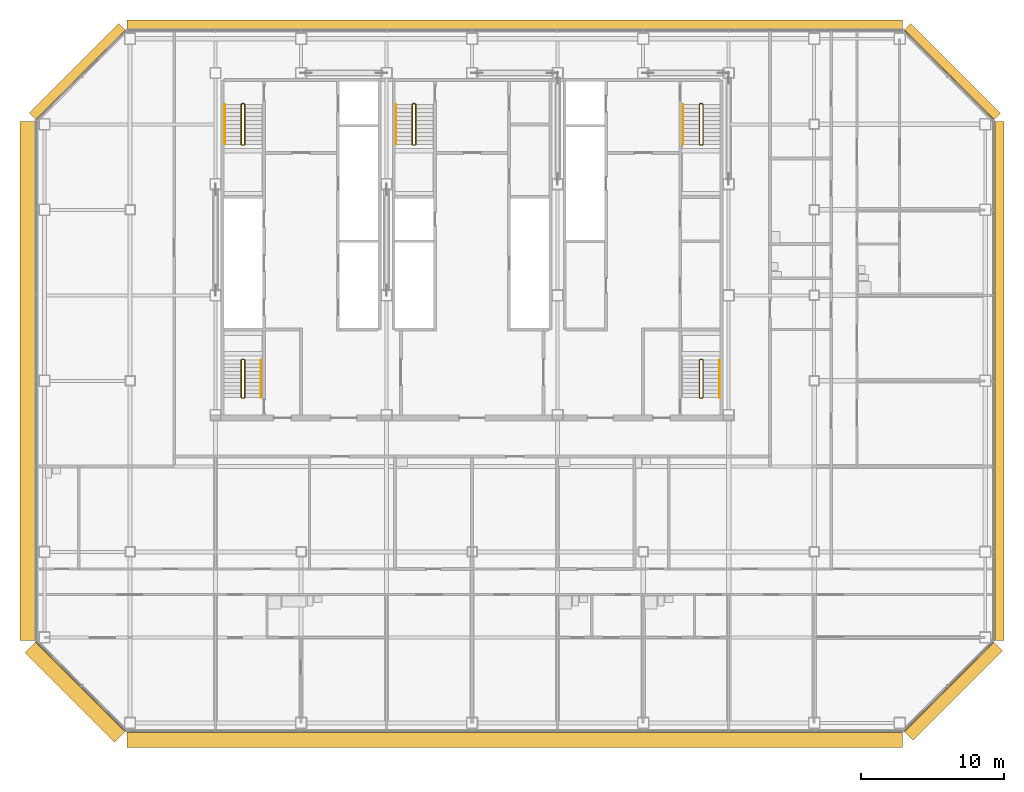
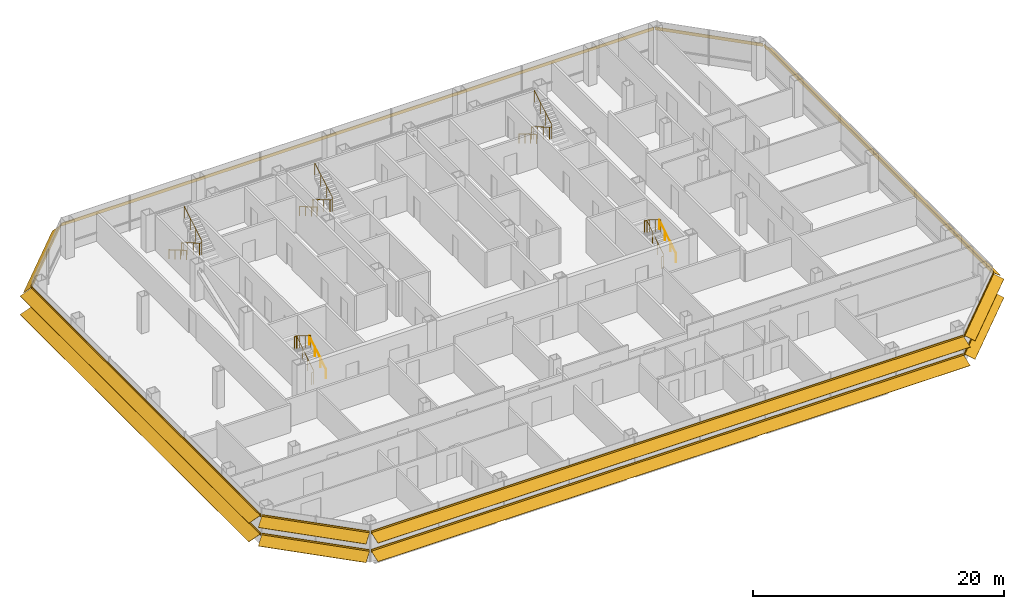
# One storey, part 24 of 25: 10 railings, 8 shading devices.
"""IFC4 building model written with IfcOpenShell, lengths in metres."""

from ifc_helpers import new_model, si_unit, direction, frame, origin, origin_2d, place, context, subcontext, project, spatial, polyline, circle, outline, composite_profile, extrude, material, type_object, element, save


model = new_model("IFC4")

# Units and contexts
model_context = context("Model", 3, precision=1e-05, world=origin(), true_north=direction((0.0, 1.0)))
body_context = subcontext(model_context, "Body", "Model", "MODEL_VIEW")
ifc_project = project(units=[si_unit("LENGTHUNIT", "METRE"), si_unit("AREAUNIT", "SQUARE_METRE"), si_unit("VOLUMEUNIT", "CUBIC_METRE"), si_unit("PLANEANGLEUNIT", "RADIAN"), si_unit("MASSUNIT", "GRAM", prefix="KILO")], contexts=[model_context])

# Site, building, storey
site_placement = place(None, origin())
site = spatial("IfcSite", under=ifc_project, at=site_placement, CompositionType="ELEMENT")
building_placement = place(site_placement, origin())
building = spatial("IfcBuilding", under=site, at=building_placement, Name="Sorahane Residences", CompositionType="ELEMENT")
storey_placement = place(building_placement, frame((0.0, 0.0, 126.800048828125)))
storey = spatial("IfcBuildingStorey", under=building, at=storey_placement, Name="L28", CompositionType="ELEMENT", Elevation=126.800048828125)

# Shading devices
ifc_material_1 = material(Name="Terracotta anodised aluminium", Category="masonry")
shading_device_type_1 = type_object("IfcShadingDeviceType", Name="Louvre sunshade blade E terracotta aluminium 700", PredefinedType="JALOUSIE", material=ifc_material_1)
shading_device_1_placement = place(storey_placement, frame((60.60009765625, 5.801513671875, 2.699951171875), z_axis=(0.0, 1.0, 0.0), x_axis=(-1.0, 0.0, 0.0)))
element("IfcShadingDevice", 1, at=shading_device_1_placement, inside=storey, type_object=shading_device_type_1, Name="Louvre sunshade blade bank E L28 E1", PredefinedType="JALOUSIE", context=body_context, shape_type="SweptSolid", body=[
    extrude(outline(polyline([(-0.719970703125, -0.49365234375), (-0.719970703125, -0.523681640625), (-0.080078125, -0.05859375), (-0.080078125, -0.14990234375), (-0.02001953125, -0.14990234375), (-0.02001953125, -0.014892578125), (-0.02001953125, 0.014892578125), (-0.02001953125, 0.14990234375), (-0.080078125, 0.14990234375), (-0.080078125, -0.028564453125), (-0.719970703125, -0.49365234375)])), origin(), (0.0, 0.0, 1.0), 36.39697265625),
])
ifc_material_2 = material(Name="Terracotta anodised aluminium", Category="masonry")
shading_device_type_2 = type_object("IfcShadingDeviceType", Name="Louvre sunshade blade N terracotta aluminium 700", PredefinedType="JALOUSIE", material=ifc_material_2)
shading_device_2_placement = place(storey_placement, frame((54.198486328125, 48.60009765625, 2.699951171875), z_axis=(-1.0, 0.0, 0.0), x_axis=(0.0, -1.0, 0.0)))
element("IfcShadingDevice", 2, at=shading_device_2_placement, inside=storey, type_object=shading_device_type_2, Name="Louvre sunshade blade bank N L28 N1", PredefinedType="JALOUSIE", context=body_context, shape_type="SweptSolid", body=[
    extrude(outline(polyline([(-0.719970703125, -0.660888671875), (-0.719970703125, -0.69091796875), (-0.080078125, -0.072998046875), (-0.080078125, -0.14990234375), (-0.02001953125, -0.14990234375), (-0.02001953125, -0.014892578125), (-0.02001953125, 0.014892578125), (-0.02001953125, 0.14990234375), (-0.080078125, 0.14990234375), (-0.080078125, -0.04296875), (-0.719970703125, -0.660888671875)])), origin(), (0.0, 0.0, 1.0), 54.39697265625),
])
ifc_material_3 = material(Name="Terracotta anodised aluminium", Category="masonry")
shading_device_type_3 = type_object("IfcShadingDeviceType", Name="Louvre sunshade blade NE terracotta aluminium 700", PredefinedType="JALOUSIE", material=ifc_material_3)
shading_device_3_placement = place(storey_placement, frame((60.564697265625, 42.283935546875, 2.699951171875), z_axis=(-0.707106781187, 0.707106781187, 0.0), x_axis=(-0.707106781187, -0.707106781187, 0.0)))
element("IfcShadingDevice", 3, at=shading_device_3_placement, inside=storey, type_object=shading_device_type_3, Name="Louvre sunshade blade bank NE L28 NE1", PredefinedType="JALOUSIE", context=body_context, shape_type="SweptSolid", body=[
    extrude(outline(polyline([(-0.719970703125, -0.572509765625), (-0.719970703125, -0.602294921875), (-0.080078125, -0.065185546875), (-0.080078125, -0.14990234375), (-0.02001953125, -0.14990234375), (-0.02001953125, -0.014892578125), (-0.02001953125, 0.014892578125), (-0.02001953125, 0.14990234375), (-0.080078125, 0.14990234375), (-0.080078125, -0.035400390625), (-0.719970703125, -0.572509765625)])), origin(), (0.0, 0.0, 1.0), 8.88232421875),
])
ifc_material_4 = material(Name="Terracotta anodised aluminium", Category="masonry")
shading_device_type_4 = type_object("IfcShadingDeviceType", Name="Louvre sunshade blade NW terracotta aluminium 700", PredefinedType="JALOUSIE", material=ifc_material_4)
shading_device_4_placement = place(storey_placement, frame((-0.283935546875, 48.564697265625, 2.699951171875), z_axis=(-0.707106781187, -0.707106781187, 0.0), x_axis=(0.707106781187, -0.707106781187, 0.0)))
element("IfcShadingDevice", 4, at=shading_device_4_placement, inside=storey, type_object=shading_device_type_4, Name="Louvre sunshade blade bank NW L28 NW1", PredefinedType="JALOUSIE", context=body_context, shape_type="SweptSolid", body=[
    extrude(outline(polyline([(-0.719970703125, -0.660888671875), (-0.719970703125, -0.69091796875), (-0.080078125, -0.072998046875), (-0.080078125, -0.14990234375), (-0.02001953125, -0.14990234375), (-0.02001953125, -0.014892578125), (-0.02001953125, 0.014892578125), (-0.02001953125, 0.14990234375), (-0.080078125, 0.14990234375), (-0.080078125, -0.04296875), (-0.719970703125, -0.660888671875)])), origin(), (0.0, 0.0, 1.0), 8.88232421875),
])
ifc_material_5 = material(Name="Terracotta anodised aluminium", Category="masonry")
shading_device_type_5 = type_object("IfcShadingDeviceType", Name="Louvre sunshade blade S terracotta aluminium 1100", PredefinedType="JALOUSIE", material=ifc_material_5)
shading_device_5_placement = place(storey_placement, frame((-0.198486328125, -0.60009765625, 0.89990234375), z_axis=(1.0, 0.0, 0.0), x_axis=(0.0, 1.0, 0.0)))
element("IfcShadingDevice", 5, at=shading_device_5_placement, inside=storey, type_object=shading_device_type_5, Name="Louvre sunshade blade bank S L28 S1", PredefinedType="JALOUSIE", context=body_context, shape_type="SweptSolid", body=[
    extrude(composite_profile([outline(polyline([(-1.1201171875, -0.385498046875), (-1.1201171875, -0.415283203125), (-0.080078125, -0.036865234375), (-0.080078125, -0.14990234375), (-0.02001953125, -0.14990234375), (-0.02001953125, -0.014892578125), (-0.02001953125, 0.014892578125), (-0.02001953125, 0.14990234375), (-0.080078125, 0.14990234375), (-0.080078125, -0.0068359375), (-1.1201171875, -0.385498046875)])), outline(polyline([(-1.1201171875, 1.41455078125), (-1.1201171875, 1.384521484375), (-0.080078125, 1.76318359375), (-0.080078125, 1.64990234375), (-0.02001953125, 1.64990234375), (-0.02001953125, 1.784912109375), (-0.02001953125, 1.81494140625), (-0.02001953125, 1.949951171875), (-0.080078125, 1.949951171875), (-0.080078125, 1.793212890625), (-1.1201171875, 1.41455078125)]))]), origin(), (0.0, 0.0, 1.0), 54.39697265625),
])
ifc_material_6 = material(Name="Terracotta anodised aluminium", Category="masonry")
shading_device_type_6 = type_object("IfcShadingDeviceType", Name="Louvre sunshade blade SE terracotta aluminium 900", PredefinedType="JALOUSIE", material=ifc_material_6)
shading_device_6_placement = place(storey_placement, frame((54.283935546875, -0.564697265625, 0.89990234375), z_axis=(0.707106781187, 0.707106781187, 0.0), x_axis=(-0.707106781187, 0.707106781187, 0.0)))
element("IfcShadingDevice", 6, at=shading_device_6_placement, inside=storey, type_object=shading_device_type_6, Name="Louvre sunshade blade bank SE L28 SE1", PredefinedType="JALOUSIE", context=body_context, shape_type="SweptSolid", body=[
    extrude(composite_profile([outline(polyline([(-0.919921875, -0.3486328125), (-0.919921875, -0.378662109375), (-0.080078125, -0.039306640625), (-0.080078125, -0.14990234375), (-0.02001953125, -0.14990234375), (-0.02001953125, -0.014892578125), (-0.02001953125, 0.014892578125), (-0.02001953125, 0.14990234375), (-0.080078125, 0.14990234375), (-0.080078125, -0.00927734375), (-0.919921875, -0.3486328125)])), outline(polyline([(-0.919921875, 1.451416015625), (-0.919921875, 1.42138671875), (-0.080078125, 1.7607421875), (-0.080078125, 1.64990234375), (-0.02001953125, 1.64990234375), (-0.02001953125, 1.784912109375), (-0.02001953125, 1.81494140625), (-0.02001953125, 1.949951171875), (-0.080078125, 1.949951171875), (-0.080078125, 1.790771484375), (-0.919921875, 1.451416015625)]))]), origin(), (0.0, 0.0, 1.0), 8.88232421875),
])
ifc_material_7 = material(Name="Terracotta anodised aluminium", Category="masonry")
shading_device_type_7 = type_object("IfcShadingDeviceType", Name="Louvre sunshade blade SW terracotta aluminium 1100", PredefinedType="JALOUSIE", material=ifc_material_7)
shading_device_7_placement = place(storey_placement, frame((-6.564697265625, 5.716064453125, 0.89990234375), z_axis=(0.707106781187, -0.707106781187, 0.0), x_axis=(0.707106781187, 0.707106781187, 0.0)))
element("IfcShadingDevice", 7, at=shading_device_7_placement, inside=storey, type_object=shading_device_type_7, Name="Louvre sunshade blade bank SW L28 SW1", PredefinedType="JALOUSIE", context=body_context, shape_type="SweptSolid", body=[
    extrude(composite_profile([outline(polyline([(-1.1201171875, -0.385498046875), (-1.1201171875, -0.415283203125), (-0.080078125, -0.036865234375), (-0.080078125, -0.14990234375), (-0.02001953125, -0.14990234375), (-0.02001953125, -0.014892578125), (-0.02001953125, 0.014892578125), (-0.02001953125, 0.14990234375), (-0.080078125, 0.14990234375), (-0.080078125, -0.0068359375), (-1.1201171875, -0.385498046875)])), outline(polyline([(-1.1201171875, 1.41455078125), (-1.1201171875, 1.384521484375), (-0.080078125, 1.76318359375), (-0.080078125, 1.64990234375), (-0.02001953125, 1.64990234375), (-0.02001953125, 1.784912109375), (-0.02001953125, 1.81494140625), (-0.02001953125, 1.949951171875), (-0.080078125, 1.949951171875), (-0.080078125, 1.793212890625), (-1.1201171875, 1.41455078125)]))]), origin(), (0.0, 0.0, 1.0), 8.88232421875),
])
ifc_material_8 = material(Name="Terracotta anodised aluminium", Category="masonry")
shading_device_type_8 = type_object("IfcShadingDeviceType", Name="Louvre sunshade blade W terracotta aluminium 1100", PredefinedType="JALOUSIE", material=ifc_material_8)
shading_device_8_placement = place(storey_placement, frame((-6.60009765625, 42.198486328125, 0.89990234375), z_axis=(0.0, -1.0, 0.0), x_axis=(1.0, 0.0, 0.0)))
element("IfcShadingDevice", 8, at=shading_device_8_placement, inside=storey, type_object=shading_device_type_8, Name="Louvre sunshade blade bank W L28 W1", PredefinedType="JALOUSIE", context=body_context, shape_type="SweptSolid", body=[
    extrude(composite_profile([outline(polyline([(-1.1201171875, -0.385498046875), (-1.1201171875, -0.415283203125), (-0.080078125, -0.036865234375), (-0.080078125, -0.14990234375), (-0.02001953125, -0.14990234375), (-0.02001953125, -0.014892578125), (-0.02001953125, 0.014892578125), (-0.02001953125, 0.14990234375), (-0.080078125, 0.14990234375), (-0.080078125, -0.0068359375), (-1.1201171875, -0.385498046875)])), outline(polyline([(-1.1201171875, 1.41455078125), (-1.1201171875, 1.384521484375), (-0.080078125, 1.76318359375), (-0.080078125, 1.64990234375), (-0.02001953125, 1.64990234375), (-0.02001953125, 1.784912109375), (-0.02001953125, 1.81494140625), (-0.02001953125, 1.949951171875), (-0.080078125, 1.949951171875), (-0.080078125, 1.793212890625), (-1.1201171875, 1.41455078125)]))]), origin(), (0.0, 0.0, 1.0), 36.39697265625),
])

# Railings
ifc_material_9 = material(Name="Steel Q355B", Category="steel")
railing_type_1 = type_object("IfcRailingType", Name="Stair guard 1200 Steel Q355B", PredefinedType="GUARDRAIL", material=ifc_material_9)
railing_1_placement = place(storey_placement, frame((8.0, 43.449951171875, 0.0)))
element("IfcRailing", 9, at=railing_1_placement, inside=storey, type_object=railing_type_1, Name="L28 S1 stair guard 1", PredefinedType="GUARDRAIL", context=body_context, shape_type="SweptSolid", body=[
    extrude(circle(Radius=0.02392578125, at=origin_2d()), frame((0.0, 0.0, 1.17578125), z_axis=(-1.0, 0.0, 0.0), x_axis=(0.0, -1.0, 0.0)), (0.0, 0.0, 1.0), 0.14990234375),
    extrude(circle(Radius=0.02392578125, at=origin_2d()), frame((-0.14990234375, 0.0, 1.17578125), z_axis=(-0.280808744504, -0.280808744504, 0.917765164963), x_axis=(0.707106781187, -0.707106781187, 0.0)), (0.0, 0.0, 1.0), 0.17822265625),
    extrude(circle(Radius=0.02392578125, at=origin_2d()), frame((-0.199951171875, -0.050048828125, 1.33935546875), z_axis=(0.0, -0.863341702679, 0.504619762213), x_axis=(1.0, 0.0, 0.0)), (0.0, 0.0, 1.0), 3.242919921875),
    extrude(circle(Radius=0.02392578125, at=origin_2d()), frame((-0.199951171875, -2.849853515625, 2.97607421875), z_axis=(0.707106781187, -0.707106781187, 0.0), x_axis=(0.707106781187, 0.707106781187, 0.0)), (0.0, 0.0, 1.0), 0.07080078125),
    extrude(circle(Radius=0.02392578125, at=origin_2d()), frame((-0.14990234375, -2.89990234375, 2.97607421875), z_axis=(1.0, 0.0, 0.0), x_axis=(0.0, 1.0, 0.0)), (0.0, 0.0, 1.0), 0.14990234375),
    extrude(circle(Radius=0.02392578125, at=origin_2d()), frame((0.0, -2.89990234375, 2.97607421875), z_axis=(0.280808744504, 0.280808744504, 0.917765164963), x_axis=(-0.707106781187, 0.707106781187, 0.0)), (0.0, 0.0, 1.0), 0.17822265625),
    extrude(circle(Radius=0.02392578125, at=origin_2d()), frame((0.050048828125, -2.849853515625, 3.1396484375), z_axis=(0.0, 0.863374499697, 0.504563646405), x_axis=(-1.0, 0.0, 0.0)), (0.0, 0.0, 1.0), 3.242919921875),
    extrude(circle(Radius=0.02099609375, at=origin_2d()), origin(), (0.0, 0.0, 1.0), 1.15185546875),
    extrude(circle(Radius=0.02099609375, at=origin_2d()), frame((-0.14990234375, 0.0, 0.0)), (0.0, 0.0, 1.0), 1.15185546875),
    extrude(circle(Radius=0.02099609375, at=origin_2d()), frame((-0.199951171875, -0.050048828125, 0.16357421875)), (0.0, 0.0, 1.0), 1.15185546875),
    extrude(circle(Radius=0.02099609375, at=origin_2d()), frame((-0.199951171875, -0.9833984375, 0.708984375)), (0.0, 0.0, 1.0), 1.15185546875),
    extrude(circle(Radius=0.02099609375, at=origin_2d()), frame((-0.199951171875, -1.91650390625, 1.254638671875)), (0.0, 0.0, 1.0), 1.15185546875),
    extrude(circle(Radius=0.02099609375, at=origin_2d()), frame((-0.199951171875, -2.849853515625, 1.800048828125)), (0.0, 0.0, 1.0), 1.15185546875),
    extrude(circle(Radius=0.02099609375, at=origin_2d()), frame((-0.14990234375, -2.89990234375, 1.800048828125)), (0.0, 0.0, 1.0), 1.15185546875),
    extrude(circle(Radius=0.02099609375, at=origin_2d()), frame((0.0, -2.89990234375, 1.800048828125)), (0.0, 0.0, 1.0), 1.15185546875),
    extrude(circle(Radius=0.02099609375, at=origin_2d()), frame((0.050048828125, -2.849853515625, 1.963623046875)), (0.0, 0.0, 1.0), 1.15185546875),
    extrude(circle(Radius=0.02099609375, at=origin_2d()), frame((0.050048828125, -1.91650390625, 2.509033203125)), (0.0, 0.0, 1.0), 1.15185546875),
    extrude(circle(Radius=0.02099609375, at=origin_2d()), frame((0.050048828125, -0.9833984375, 3.054443359375)), (0.0, 0.0, 1.0), 1.15185546875),
    extrude(circle(Radius=0.02099609375, at=origin_2d()), frame((0.050048828125, -0.050048828125, 3.599853515625)), (0.0, 0.0, 1.0), 1.15185546875),
])
railing_2_placement = place(storey_placement, frame((40.14990234375, 43.449951171875, 0.0)))
element("IfcRailing", 10, at=railing_2_placement, inside=storey, type_object=railing_type_1, Name="L28 S2 stair guard 1", PredefinedType="GUARDRAIL", context=body_context, shape_type="SweptSolid", body=[
    extrude(circle(Radius=0.02392578125, at=origin_2d()), frame((0.0, 0.0, 1.17578125), z_axis=(-1.0, 0.0, 0.0), x_axis=(0.0, -1.0, 0.0)), (0.0, 0.0, 1.0), 0.14990234375),
    extrude(circle(Radius=0.02392578125, at=origin_2d()), frame((-0.14990234375, 0.0, 1.17578125), z_axis=(-0.280808744504, -0.280808744504, 0.917765164963), x_axis=(0.707106781187, -0.707106781187, 0.0)), (0.0, 0.0, 1.0), 0.17822265625),
    extrude(circle(Radius=0.02392578125, at=origin_2d()), frame((-0.199951171875, -0.050048828125, 1.33935546875), z_axis=(0.0, -0.863341702679, 0.504619762213), x_axis=(1.0, 0.0, 0.0)), (0.0, 0.0, 1.0), 3.242919921875),
    extrude(circle(Radius=0.02392578125, at=origin_2d()), frame((-0.199951171875, -2.849853515625, 2.97607421875), z_axis=(0.707106781187, -0.707106781187, 0.0), x_axis=(0.707106781187, 0.707106781187, 0.0)), (0.0, 0.0, 1.0), 0.07080078125),
    extrude(circle(Radius=0.02392578125, at=origin_2d()), frame((-0.14990234375, -2.89990234375, 2.97607421875), z_axis=(1.0, 0.0, 0.0), x_axis=(0.0, 1.0, 0.0)), (0.0, 0.0, 1.0), 0.14990234375),
    extrude(circle(Radius=0.02392578125, at=origin_2d()), frame((0.0, -2.89990234375, 2.97607421875), z_axis=(0.280808744504, 0.280808744504, 0.917765164963), x_axis=(-0.707106781187, 0.707106781187, 0.0)), (0.0, 0.0, 1.0), 0.17822265625),
    extrude(circle(Radius=0.02392578125, at=origin_2d()), frame((0.050048828125, -2.849853515625, 3.1396484375), z_axis=(0.0, 0.863374499697, 0.504563646405), x_axis=(-1.0, 0.0, 0.0)), (0.0, 0.0, 1.0), 3.242919921875),
    extrude(circle(Radius=0.02099609375, at=origin_2d()), origin(), (0.0, 0.0, 1.0), 1.15185546875),
    extrude(circle(Radius=0.02099609375, at=origin_2d()), frame((-0.14990234375, 0.0, 0.0)), (0.0, 0.0, 1.0), 1.15185546875),
    extrude(circle(Radius=0.02099609375, at=origin_2d()), frame((-0.199951171875, -0.050048828125, 0.16357421875)), (0.0, 0.0, 1.0), 1.15185546875),
    extrude(circle(Radius=0.02099609375, at=origin_2d()), frame((-0.199951171875, -0.9833984375, 0.708984375)), (0.0, 0.0, 1.0), 1.15185546875),
    extrude(circle(Radius=0.02099609375, at=origin_2d()), frame((-0.199951171875, -1.91650390625, 1.254638671875)), (0.0, 0.0, 1.0), 1.15185546875),
    extrude(circle(Radius=0.02099609375, at=origin_2d()), frame((-0.199951171875, -2.849853515625, 1.800048828125)), (0.0, 0.0, 1.0), 1.15185546875),
    extrude(circle(Radius=0.02099609375, at=origin_2d()), frame((-0.14990234375, -2.89990234375, 1.800048828125)), (0.0, 0.0, 1.0), 1.15185546875),
    extrude(circle(Radius=0.02099609375, at=origin_2d()), frame((0.0, -2.89990234375, 1.800048828125)), (0.0, 0.0, 1.0), 1.15185546875),
    extrude(circle(Radius=0.02099609375, at=origin_2d()), frame((0.050048828125, -2.849853515625, 1.963623046875)), (0.0, 0.0, 1.0), 1.15185546875),
    extrude(circle(Radius=0.02099609375, at=origin_2d()), frame((0.050048828125, -1.91650390625, 2.509033203125)), (0.0, 0.0, 1.0), 1.15185546875),
    extrude(circle(Radius=0.02099609375, at=origin_2d()), frame((0.050048828125, -0.9833984375, 3.054443359375)), (0.0, 0.0, 1.0), 1.15185546875),
    extrude(circle(Radius=0.02099609375, at=origin_2d()), frame((0.050048828125, -0.050048828125, 3.599853515625)), (0.0, 0.0, 1.0), 1.15185546875),
])
railing_3_placement = place(storey_placement, frame((20.0, 43.449951171875, 0.0)))
element("IfcRailing", 11, at=railing_3_placement, inside=storey, type_object=railing_type_1, Name="L28 S3 stair guard 1", PredefinedType="GUARDRAIL", context=body_context, shape_type="SweptSolid", body=[
    extrude(circle(Radius=0.02392578125, at=origin_2d()), frame((0.0, 0.0, 1.17578125), z_axis=(-1.0, 0.0, 0.0), x_axis=(0.0, -1.0, 0.0)), (0.0, 0.0, 1.0), 0.14990234375),
    extrude(circle(Radius=0.02392578125, at=origin_2d()), frame((-0.14990234375, 0.0, 1.17578125), z_axis=(-0.280808744504, -0.280808744504, 0.917765164963), x_axis=(0.707106781187, -0.707106781187, 0.0)), (0.0, 0.0, 1.0), 0.17822265625),
    extrude(circle(Radius=0.02392578125, at=origin_2d()), frame((-0.199951171875, -0.050048828125, 1.33935546875), z_axis=(0.0, -0.863341702679, 0.504619762213), x_axis=(1.0, 0.0, 0.0)), (0.0, 0.0, 1.0), 3.242919921875),
    extrude(circle(Radius=0.02392578125, at=origin_2d()), frame((-0.199951171875, -2.849853515625, 2.97607421875), z_axis=(0.707106781187, -0.707106781187, 0.0), x_axis=(0.707106781187, 0.707106781187, 0.0)), (0.0, 0.0, 1.0), 0.07080078125),
    extrude(circle(Radius=0.02392578125, at=origin_2d()), frame((-0.14990234375, -2.89990234375, 2.97607421875), z_axis=(1.0, 0.0, 0.0), x_axis=(0.0, 1.0, 0.0)), (0.0, 0.0, 1.0), 0.14990234375),
    extrude(circle(Radius=0.02392578125, at=origin_2d()), frame((0.0, -2.89990234375, 2.97607421875), z_axis=(0.280808744504, 0.280808744504, 0.917765164963), x_axis=(-0.707106781187, 0.707106781187, 0.0)), (0.0, 0.0, 1.0), 0.17822265625),
    extrude(circle(Radius=0.02392578125, at=origin_2d()), frame((0.050048828125, -2.849853515625, 3.1396484375), z_axis=(0.0, 0.863374499697, 0.504563646405), x_axis=(-1.0, 0.0, 0.0)), (0.0, 0.0, 1.0), 3.242919921875),
    extrude(circle(Radius=0.02099609375, at=origin_2d()), origin(), (0.0, 0.0, 1.0), 1.15185546875),
    extrude(circle(Radius=0.02099609375, at=origin_2d()), frame((-0.14990234375, 0.0, 0.0)), (0.0, 0.0, 1.0), 1.15185546875),
    extrude(circle(Radius=0.02099609375, at=origin_2d()), frame((-0.199951171875, -0.050048828125, 0.16357421875)), (0.0, 0.0, 1.0), 1.15185546875),
    extrude(circle(Radius=0.02099609375, at=origin_2d()), frame((-0.199951171875, -0.9833984375, 0.708984375)), (0.0, 0.0, 1.0), 1.15185546875),
    extrude(circle(Radius=0.02099609375, at=origin_2d()), frame((-0.199951171875, -1.91650390625, 1.254638671875)), (0.0, 0.0, 1.0), 1.15185546875),
    extrude(circle(Radius=0.02099609375, at=origin_2d()), frame((-0.199951171875, -2.849853515625, 1.800048828125)), (0.0, 0.0, 1.0), 1.15185546875),
    extrude(circle(Radius=0.02099609375, at=origin_2d()), frame((-0.14990234375, -2.89990234375, 1.800048828125)), (0.0, 0.0, 1.0), 1.15185546875),
    extrude(circle(Radius=0.02099609375, at=origin_2d()), frame((0.0, -2.89990234375, 1.800048828125)), (0.0, 0.0, 1.0), 1.15185546875),
    extrude(circle(Radius=0.02099609375, at=origin_2d()), frame((0.050048828125, -2.849853515625, 1.963623046875)), (0.0, 0.0, 1.0), 1.15185546875),
    extrude(circle(Radius=0.02099609375, at=origin_2d()), frame((0.050048828125, -1.91650390625, 2.509033203125)), (0.0, 0.0, 1.0), 1.15185546875),
    extrude(circle(Radius=0.02099609375, at=origin_2d()), frame((0.050048828125, -0.9833984375, 3.054443359375)), (0.0, 0.0, 1.0), 1.15185546875),
    extrude(circle(Radius=0.02099609375, at=origin_2d()), frame((0.050048828125, -0.050048828125, 3.599853515625)), (0.0, 0.0, 1.0), 1.15185546875),
])
railing_4_placement = place(storey_placement, frame((7.85009765625, 22.800048828125, 0.0)))
element("IfcRailing", 12, at=railing_4_placement, inside=storey, type_object=railing_type_1, Name="L28 S4 stair guard 1", PredefinedType="GUARDRAIL", context=body_context, shape_type="SweptSolid", body=[
    extrude(circle(Radius=0.02392578125, at=origin_2d()), frame((0.0, 0.0, 1.17578125), z_axis=(1.0, 0.0, 0.0), x_axis=(0.0, 1.0, 0.0)), (0.0, 0.0, 1.0), 0.14990234375),
    extrude(circle(Radius=0.02392578125, at=origin_2d()), frame((0.14990234375, 0.0, 1.17578125), z_axis=(0.280808744504, 0.280808744504, 0.917765164963), x_axis=(-0.707106781187, 0.707106781187, 0.0)), (0.0, 0.0, 1.0), 0.17822265625),
    extrude(circle(Radius=0.02392578125, at=origin_2d()), frame((0.199951171875, 0.050048828125, 1.33935546875), z_axis=(0.0, 0.846301844409, 0.532703658848), x_axis=(-1.0, 0.0, 0.0)), (0.0, 0.0, 1.0), 3.072021484375),
    extrude(circle(Radius=0.02392578125, at=origin_2d()), frame((0.199951171875, 2.64990234375, 2.97607421875), z_axis=(-0.707106781187, 0.707106781187, 0.0), x_axis=(-0.707106781187, -0.707106781187, 0.0)), (0.0, 0.0, 1.0), 0.07080078125),
    extrude(circle(Radius=0.02392578125, at=origin_2d()), frame((0.14990234375, 2.699951171875, 2.97607421875), z_axis=(-1.0, 0.0, 0.0), x_axis=(0.0, -1.0, 0.0)), (0.0, 0.0, 1.0), 0.14990234375),
    extrude(circle(Radius=0.02392578125, at=origin_2d()), frame((0.0, 2.699951171875, 2.97607421875), z_axis=(-0.280808744504, -0.280808744504, 0.917765164963), x_axis=(0.707106781187, -0.707106781187, 0.0)), (0.0, 0.0, 1.0), 0.17822265625),
    extrude(circle(Radius=0.02392578125, at=origin_2d()), frame((-0.050048828125, 2.64990234375, 3.1396484375), z_axis=(0.0, -0.846337672412, 0.532646734952), x_axis=(1.0, 0.0, 0.0)), (0.0, 0.0, 1.0), 3.07177734375),
    extrude(circle(Radius=0.02099609375, at=origin_2d()), origin(), (0.0, 0.0, 1.0), 1.15185546875),
    extrude(circle(Radius=0.02099609375, at=origin_2d()), frame((0.14990234375, 0.0, 0.0)), (0.0, 0.0, 1.0), 1.15185546875),
    extrude(circle(Radius=0.02099609375, at=origin_2d()), frame((0.199951171875, 0.050048828125, 0.16357421875)), (0.0, 0.0, 1.0), 1.15185546875),
    extrude(circle(Radius=0.02099609375, at=origin_2d()), frame((0.199951171875, 0.916748046875, 0.708984375)), (0.0, 0.0, 1.0), 1.15185546875),
    extrude(circle(Radius=0.02099609375, at=origin_2d()), frame((0.199951171875, 1.783203125, 1.254638671875)), (0.0, 0.0, 1.0), 1.15185546875),
    extrude(circle(Radius=0.02099609375, at=origin_2d()), frame((0.199951171875, 2.64990234375, 1.800048828125)), (0.0, 0.0, 1.0), 1.15185546875),
    extrude(circle(Radius=0.02099609375, at=origin_2d()), frame((0.14990234375, 2.699951171875, 1.800048828125)), (0.0, 0.0, 1.0), 1.15185546875),
    extrude(circle(Radius=0.02099609375, at=origin_2d()), frame((0.0, 2.699951171875, 1.800048828125)), (0.0, 0.0, 1.0), 1.15185546875),
    extrude(circle(Radius=0.02099609375, at=origin_2d()), frame((-0.050048828125, 2.64990234375, 1.963623046875)), (0.0, 0.0, 1.0), 1.15185546875),
    extrude(circle(Radius=0.02099609375, at=origin_2d()), frame((-0.050048828125, 1.783203125, 2.509033203125)), (0.0, 0.0, 1.0), 1.15185546875),
    extrude(circle(Radius=0.02099609375, at=origin_2d()), frame((-0.050048828125, 0.916748046875, 3.054443359375)), (0.0, 0.0, 1.0), 1.15185546875),
    extrude(circle(Radius=0.02099609375, at=origin_2d()), frame((-0.050048828125, 0.050048828125, 3.599853515625)), (0.0, 0.0, 1.0), 1.15185546875),
])
railing_5_placement = place(storey_placement, frame((40.0, 22.800048828125, 0.0)))
element("IfcRailing", 13, at=railing_5_placement, inside=storey, type_object=railing_type_1, Name="L28 S5 stair guard 1", PredefinedType="GUARDRAIL", context=body_context, shape_type="SweptSolid", body=[
    extrude(circle(Radius=0.02392578125, at=origin_2d()), frame((0.0, 0.0, 1.17578125), z_axis=(1.0, 0.0, 0.0), x_axis=(0.0, 1.0, 0.0)), (0.0, 0.0, 1.0), 0.14990234375),
    extrude(circle(Radius=0.02392578125, at=origin_2d()), frame((0.14990234375, 0.0, 1.17578125), z_axis=(0.280808744504, 0.280808744504, 0.917765164963), x_axis=(-0.707106781187, 0.707106781187, 0.0)), (0.0, 0.0, 1.0), 0.17822265625),
    extrude(circle(Radius=0.02392578125, at=origin_2d()), frame((0.199951171875, 0.050048828125, 1.33935546875), z_axis=(0.0, 0.846301844409, 0.532703658848), x_axis=(-1.0, 0.0, 0.0)), (0.0, 0.0, 1.0), 3.072021484375),
    extrude(circle(Radius=0.02392578125, at=origin_2d()), frame((0.199951171875, 2.64990234375, 2.97607421875), z_axis=(-0.707106781187, 0.707106781187, 0.0), x_axis=(-0.707106781187, -0.707106781187, 0.0)), (0.0, 0.0, 1.0), 0.07080078125),
    extrude(circle(Radius=0.02392578125, at=origin_2d()), frame((0.14990234375, 2.699951171875, 2.97607421875), z_axis=(-1.0, 0.0, 0.0), x_axis=(0.0, -1.0, 0.0)), (0.0, 0.0, 1.0), 0.14990234375),
    extrude(circle(Radius=0.02392578125, at=origin_2d()), frame((0.0, 2.699951171875, 2.97607421875), z_axis=(-0.280808744504, -0.280808744504, 0.917765164963), x_axis=(0.707106781187, -0.707106781187, 0.0)), (0.0, 0.0, 1.0), 0.17822265625),
    extrude(circle(Radius=0.02392578125, at=origin_2d()), frame((-0.050048828125, 2.64990234375, 3.1396484375), z_axis=(0.0, -0.846337672412, 0.532646734952), x_axis=(1.0, 0.0, 0.0)), (0.0, 0.0, 1.0), 3.07177734375),
    extrude(circle(Radius=0.02099609375, at=origin_2d()), origin(), (0.0, 0.0, 1.0), 1.15185546875),
    extrude(circle(Radius=0.02099609375, at=origin_2d()), frame((0.14990234375, 0.0, 0.0)), (0.0, 0.0, 1.0), 1.15185546875),
    extrude(circle(Radius=0.02099609375, at=origin_2d()), frame((0.199951171875, 0.050048828125, 0.16357421875)), (0.0, 0.0, 1.0), 1.15185546875),
    extrude(circle(Radius=0.02099609375, at=origin_2d()), frame((0.199951171875, 0.916748046875, 0.708984375)), (0.0, 0.0, 1.0), 1.15185546875),
    extrude(circle(Radius=0.02099609375, at=origin_2d()), frame((0.199951171875, 1.783203125, 1.254638671875)), (0.0, 0.0, 1.0), 1.15185546875),
    extrude(circle(Radius=0.02099609375, at=origin_2d()), frame((0.199951171875, 2.64990234375, 1.800048828125)), (0.0, 0.0, 1.0), 1.15185546875),
    extrude(circle(Radius=0.02099609375, at=origin_2d()), frame((0.14990234375, 2.699951171875, 1.800048828125)), (0.0, 0.0, 1.0), 1.15185546875),
    extrude(circle(Radius=0.02099609375, at=origin_2d()), frame((0.0, 2.699951171875, 1.800048828125)), (0.0, 0.0, 1.0), 1.15185546875),
    extrude(circle(Radius=0.02099609375, at=origin_2d()), frame((-0.050048828125, 2.64990234375, 1.963623046875)), (0.0, 0.0, 1.0), 1.15185546875),
    extrude(circle(Radius=0.02099609375, at=origin_2d()), frame((-0.050048828125, 1.783203125, 2.509033203125)), (0.0, 0.0, 1.0), 1.15185546875),
    extrude(circle(Radius=0.02099609375, at=origin_2d()), frame((-0.050048828125, 0.916748046875, 3.054443359375)), (0.0, 0.0, 1.0), 1.15185546875),
    extrude(circle(Radius=0.02099609375, at=origin_2d()), frame((-0.050048828125, 0.050048828125, 3.599853515625)), (0.0, 0.0, 1.0), 1.15185546875),
])
ifc_material_10 = material(Name="Steel Q355B", Category="steel")
railing_type_2 = type_object("IfcRailingType", Name="Stair handrail 900 Steel Q355B", PredefinedType="HANDRAIL", material=ifc_material_10)
for number, where, name in (
    (14, (6.64990234375, 43.39990234375, 0.16357421875), "L28 S1 stair handrail 1"),
    (15, (38.800048828125, 43.39990234375, 0.16357421875), "L28 S2 stair handrail 1"),
    (16, (18.64990234375, 43.39990234375, 0.16357421875), "L28 S3 stair handrail 1"),
):
    element("IfcRailing", number, at=place(storey_placement, frame(where)), inside=storey, type_object=railing_type_2, Name=name, PredefinedType="HANDRAIL", context=body_context, shape_type="SweptSolid", body=[
        extrude(circle(Radius=0.02392578125, at=origin_2d()), frame((0.0, 0.0, 0.8759765625), z_axis=(0.0, -0.863341702679, 0.504619762213), x_axis=(1.0, 0.0, 0.0)), (0.0, 0.0, 1.0), 3.242919921875),
        extrude(circle(Radius=0.02099609375, at=origin_2d()), origin(), (0.0, 0.0, 1.0), 0.851806640625),
        extrude(circle(Radius=0.02099609375, at=origin_2d()), frame((0.0, -0.933349609375, 0.54541015625)), (0.0, 0.0, 1.0), 0.851806640625),
        extrude(circle(Radius=0.02099609375, at=origin_2d()), frame((0.0, -1.866455078125, 1.091064453125)), (0.0, 0.0, 1.0), 0.851806640625),
        extrude(circle(Radius=0.02099609375, at=origin_2d()), frame((0.0, -2.7998046875, 1.636474609375)), (0.0, 0.0, 1.0), 0.851806640625),
    ])
for number, where, name in (
    (17, (9.199951171875, 22.85009765625, 0.16357421875), "L28 S4 stair handrail 1"),
    (18, (41.35009765625, 22.85009765625, 0.16357421875), "L28 S5 stair handrail 1"),
):
    element("IfcRailing", number, at=place(storey_placement, frame(where)), inside=storey, type_object=railing_type_2, Name=name, PredefinedType="HANDRAIL", context=body_context, shape_type="SweptSolid", body=[
        extrude(circle(Radius=0.02392578125, at=origin_2d()), frame((0.0, 0.0, 0.8759765625), z_axis=(0.0, 0.846301844409, 0.532703658848), x_axis=(-1.0, 0.0, 0.0)), (0.0, 0.0, 1.0), 3.072021484375),
        extrude(circle(Radius=0.02099609375, at=origin_2d()), origin(), (0.0, 0.0, 1.0), 0.851806640625),
        extrude(circle(Radius=0.02099609375, at=origin_2d()), frame((0.0, 0.86669921875, 0.54541015625)), (0.0, 0.0, 1.0), 0.851806640625),
        extrude(circle(Radius=0.02099609375, at=origin_2d()), frame((0.0, 1.733154296875, 1.091064453125)), (0.0, 0.0, 1.0), 0.851806640625),
        extrude(circle(Radius=0.02099609375, at=origin_2d()), frame((0.0, 2.599853515625, 1.636474609375)), (0.0, 0.0, 1.0), 0.851806640625),
    ])

save(model, "model.ifc")
